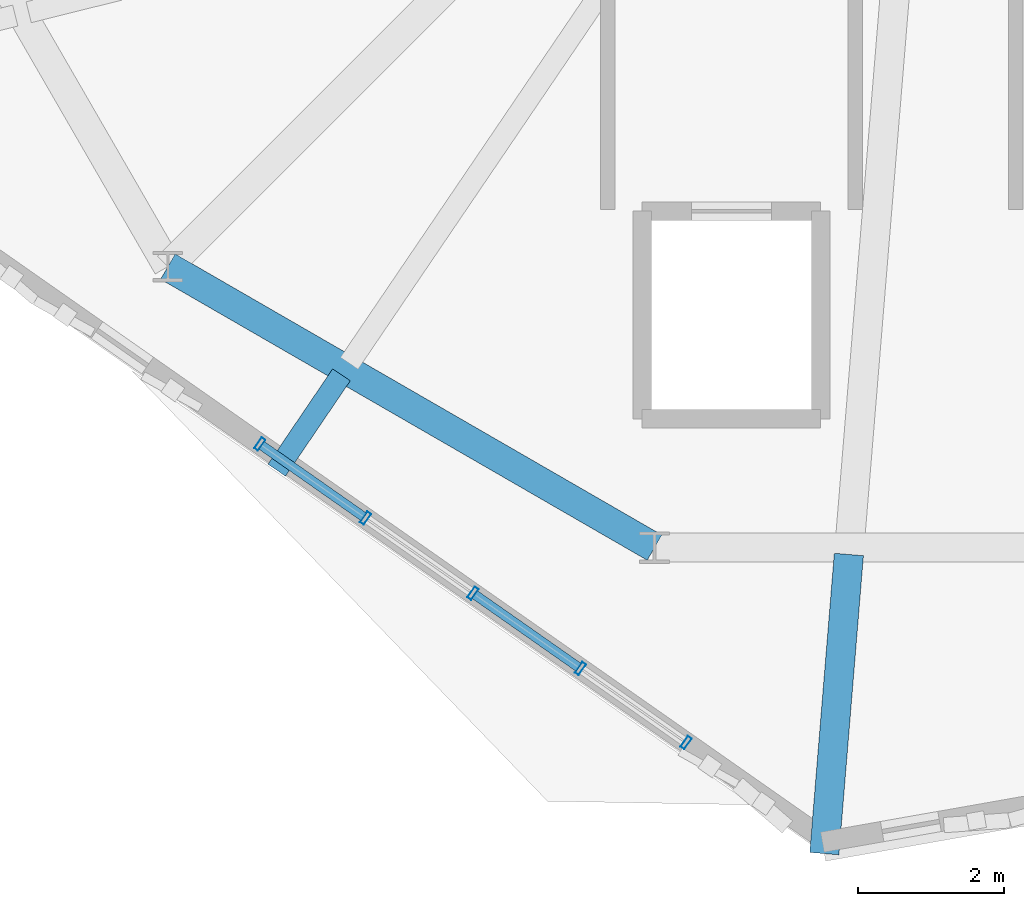
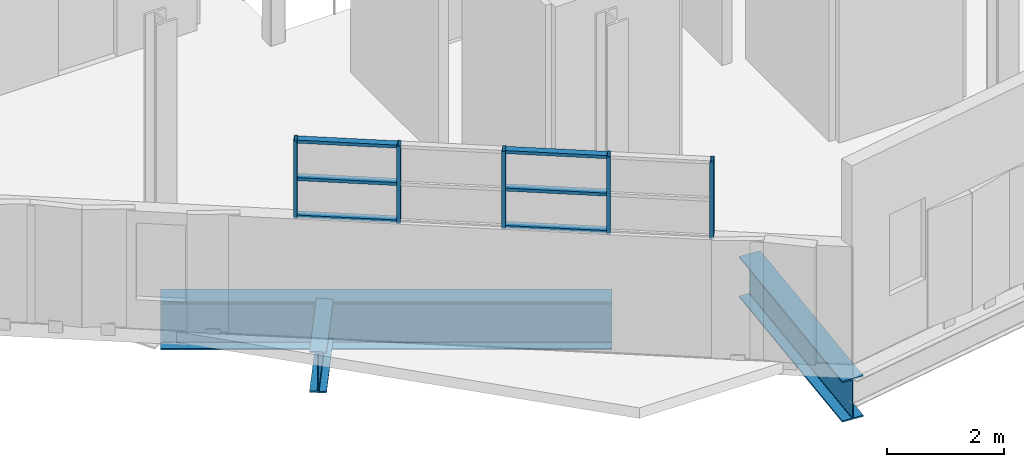
# One storey, part 5 of 36: 11 members, 3 beams, 1 element without a shape of its own.
"""IFC4 building model written with IfcOpenShell, lengths in metres."""

from ifc_helpers import new_model, si_unit, direction, frame, origin, origin_2d, place, context, subcontext, project, spatial, hollow_rectangle, i_section, extrude, material, layer, layer_set, material_profile, profile_set, type_object, element, aggregate, save


model = new_model("IFC4")

# Units and contexts
model_context = context("Model", 3, precision=1e-05, world=origin(), true_north=direction((0.0, 1.0)))
body_context = subcontext(model_context, "Body", "Model", "MODEL_VIEW")
ifc_project = project(units=[si_unit("LENGTHUNIT", "METRE"), si_unit("AREAUNIT", "SQUARE_METRE"), si_unit("VOLUMEUNIT", "CUBIC_METRE"), si_unit("PLANEANGLEUNIT", "RADIAN"), si_unit("MASSUNIT", "GRAM", prefix="KILO"), si_unit("THERMODYNAMICTEMPERATUREUNIT", "KELVIN"), si_unit("POWERUNIT", "WATT")], contexts=[model_context])

# Site, building, storey
site_placement = place(None, origin())
site = spatial("IfcSite", under=ifc_project, at=site_placement, CompositionType="ELEMENT")
building_placement = place(site_placement, origin())
building = spatial("IfcBuilding", under=site, at=building_placement, Name="Zelmaris Science Centre", CompositionType="ELEMENT")
storey_placement = place(building_placement, frame((0.0, 0.0, 25.199951171875)))
storey = spatial("IfcBuildingStorey", under=building, at=storey_placement, Name="L05", CompositionType="ELEMENT", Elevation=25.199951171875)

# Curtain wall, members
ifc_material_1 = material(Name="Anodised architectural aluminium 6063-T6", Category="aluminium")
ifc_layer = layer(ifc_material_1, 0.2099609375, Name="Anodised architectural aluminium 6063-T6")
ifc_layer_set = layer_set([ifc_layer], Name="Anodised architectural aluminium 6063-T6")
curtain_wall_type = type_object("IfcCurtainWallType", Name="Curtain Wall CW-03", PredefinedType="USERDEFINED", material=ifc_layer_set)
curtain_wall_placement = place(storey_placement, origin())
curtain_wall = element("IfcCurtainWall", 1, at=curtain_wall_placement, inside=storey, type_object=curtain_wall_type, Name="L05 Clerestory curtain wall 371", ObjectType="GLAZED CURTAIN WALL", PredefinedType="USERDEFINED")
ifc_material_profile_1 = material_profile(ifc_material_1, hollow_rectangle(XDim=0.06494140625, YDim=0.179931640625, WallThickness=0.00390625, at=origin_2d()), Name="ALU-MUL-65X180")
ifc_profile_set_1 = profile_set([ifc_material_profile_1], Name="Anodised architectural aluminium 6063-T6")
member_type_1 = type_object("IfcMemberType", Name="ALU-MUL-65X180", PredefinedType="MULLION", material=ifc_profile_set_1)
member_1_placement = place(storey_placement, frame((77.576904296875, 18.93115234375, 2.420166015625), z_axis=(0.0, 0.0, 1.0), x_axis=(-0.819154046443, 0.573573576968, 0.0)))
member_1 = element("IfcMember", 2, at=member_1_placement, type_object=member_type_1, Name="CW-03 mullion 1", PredefinedType="MULLION", context=body_context, shape_type="SweptSolid", body=[
    extrude(hollow_rectangle(XDim=0.06494140625, YDim=0.179931640625, WallThickness=0.00390625, at=origin_2d()), origin(), (0.0, 0.0, 1.0), 1.619873046875),
])
member_2_placement = place(storey_placement, frame((76.125732421875, 19.947265625, 2.420166015625), z_axis=(0.0, 0.0, 1.0), x_axis=(-0.819154046443, 0.573573576968, 0.0)))
member_2 = element("IfcMember", 3, at=member_2_placement, type_object=member_type_1, Name="CW-03 mullion 2", PredefinedType="MULLION", context=body_context, shape_type="SweptSolid", body=[
    extrude(hollow_rectangle(XDim=0.06494140625, YDim=0.179931640625, WallThickness=0.00390625, at=origin_2d()), origin(), (0.0, 0.0, 1.0), 1.619873046875),
])
member_3_placement = place(storey_placement, frame((74.651123046875, 20.979736328125, 2.420166015625), z_axis=(0.0, 0.0, 1.0), x_axis=(-0.819154046443, 0.573573576968, 0.0)))
member_3 = element("IfcMember", 4, at=member_3_placement, type_object=member_type_1, Name="CW-03 mullion 3", PredefinedType="MULLION", context=body_context, shape_type="SweptSolid", body=[
    extrude(hollow_rectangle(XDim=0.06494140625, YDim=0.179931640625, WallThickness=0.00390625, at=origin_2d()), origin(), (0.0, 0.0, 1.0), 1.619873046875),
])
member_4_placement = place(storey_placement, frame((73.1767578125, 22.01220703125, 2.420166015625), z_axis=(0.0, 0.0, 1.0), x_axis=(-0.819154046443, 0.573573576968, 0.0)))
member_4 = element("IfcMember", 5, at=member_4_placement, type_object=member_type_1, Name="CW-03 mullion 4", PredefinedType="MULLION", context=body_context, shape_type="SweptSolid", body=[
    extrude(hollow_rectangle(XDim=0.06494140625, YDim=0.179931640625, WallThickness=0.00390625, at=origin_2d()), origin(), (0.0, 0.0, 1.0), 1.619873046875),
])
member_5_placement = place(storey_placement, frame((71.7255859375, 23.0283203125, 2.420166015625), z_axis=(0.0, 0.0, 1.0), x_axis=(-0.819154046443, 0.573573576968, 0.0)))
member_5 = element("IfcMember", 6, at=member_5_placement, type_object=member_type_1, Name="CW-03 mullion 5", PredefinedType="MULLION", context=body_context, shape_type="SweptSolid", body=[
    extrude(hollow_rectangle(XDim=0.06494140625, YDim=0.179931640625, WallThickness=0.00390625, at=origin_2d()), origin(), (0.0, 0.0, 1.0), 1.619873046875),
])
ifc_material_profile_2 = material_profile(ifc_material_1, hollow_rectangle(XDim=0.06494140625, YDim=0.1298828125, WallThickness=0.00341796875, at=origin_2d()), Name="ALU-TRN-65X130")
ifc_profile_set_2 = profile_set([ifc_material_profile_2], Name="Anodised architectural aluminium 6063-T6")
member_type_2 = type_object("IfcMemberType", Name="ALU-TRN-65X130", PredefinedType="USERDEFINED", material=ifc_profile_set_2)
member_6_placement = place(storey_placement, frame((76.102294921875, 19.963623046875, 2.448486328125), z_axis=(-0.819139782198, 0.573593948034, 0.0), x_axis=(0.0, 0.0, 1.0)))
member_6 = element("IfcMember", 7, at=member_6_placement, type_object=member_type_2, Name="CW-03 transom 2.1", ObjectType="TRANSOM", PredefinedType="USERDEFINED", context=body_context, shape_type="SweptSolid", body=[
    extrude(hollow_rectangle(XDim=0.06494140625, YDim=0.1298828125, WallThickness=0.00341796875, at=origin_2d()), origin(), (0.0, 0.0, 1.0), 1.742919921875),
])
member_7_placement = place(storey_placement, frame((76.102294921875, 19.963623046875, 3.22998046875), z_axis=(-0.819139782198, 0.573593948034, 0.0), x_axis=(0.0, 0.0, 1.0)))
member_7 = element("IfcMember", 8, at=member_7_placement, type_object=member_type_2, Name="CW-03 transom 2.2", ObjectType="TRANSOM", PredefinedType="USERDEFINED", context=body_context, shape_type="SweptSolid", body=[
    extrude(hollow_rectangle(XDim=0.06494140625, YDim=0.1298828125, WallThickness=0.00341796875, at=origin_2d()), origin(), (0.0, 0.0, 1.0), 1.742919921875),
])
member_8_placement = place(storey_placement, frame((76.102294921875, 19.963623046875, 4.011474609375), z_axis=(-0.819139782198, 0.573593948034, 0.0), x_axis=(0.0, 0.0, 1.0)))
member_8 = element("IfcMember", 9, at=member_8_placement, type_object=member_type_2, Name="CW-03 transom 2.3", ObjectType="TRANSOM", PredefinedType="USERDEFINED", context=body_context, shape_type="SweptSolid", body=[
    extrude(hollow_rectangle(XDim=0.06494140625, YDim=0.1298828125, WallThickness=0.00341796875, at=origin_2d()), origin(), (0.0, 0.0, 1.0), 1.742919921875),
])
member_9_placement = place(storey_placement, frame((73.1533203125, 22.028564453125, 2.448486328125), z_axis=(-0.819124862085, 0.573615254604, 0.0), x_axis=(0.0, 0.0, 1.0)))
member_9 = element("IfcMember", 10, at=member_9_placement, type_object=member_type_2, Name="CW-03 transom 4.1", ObjectType="TRANSOM", PredefinedType="USERDEFINED", context=body_context, shape_type="SweptSolid", body=[
    extrude(hollow_rectangle(XDim=0.06494140625, YDim=0.1298828125, WallThickness=0.00341796875, at=origin_2d()), origin(), (0.0, 0.0, 1.0), 1.71435546875),
])
member_10_placement = place(storey_placement, frame((73.1533203125, 22.028564453125, 3.22998046875), z_axis=(-0.819124862085, 0.573615254604, 0.0), x_axis=(0.0, 0.0, 1.0)))
member_10 = element("IfcMember", 11, at=member_10_placement, type_object=member_type_2, Name="CW-03 transom 4.2", ObjectType="TRANSOM", PredefinedType="USERDEFINED", context=body_context, shape_type="SweptSolid", body=[
    extrude(hollow_rectangle(XDim=0.06494140625, YDim=0.1298828125, WallThickness=0.00341796875, at=origin_2d()), origin(), (0.0, 0.0, 1.0), 1.71435546875),
])
member_11_placement = place(storey_placement, frame((73.1533203125, 22.028564453125, 4.011474609375), z_axis=(-0.819124862085, 0.573615254604, 0.0), x_axis=(0.0, 0.0, 1.0)))
member_11 = element("IfcMember", 12, at=member_11_placement, type_object=member_type_2, Name="CW-03 transom 4.3", ObjectType="TRANSOM", PredefinedType="USERDEFINED", context=body_context, shape_type="SweptSolid", body=[
    extrude(hollow_rectangle(XDim=0.06494140625, YDim=0.1298828125, WallThickness=0.00341796875, at=origin_2d()), origin(), (0.0, 0.0, 1.0), 1.71435546875),
])
aggregate(curtain_wall, [member_1, member_2, member_3, member_4, member_5, member_6, member_7, member_8, member_9, member_10, member_11])

# Beams
ifc_material_2 = material(Name="Steel ASTM A992 Grade 50", Category="steel")
ifc_material_profile_3 = material_profile(ifc_material_2, i_section(OverallWidth=0.40087890625, OverallDepth=0.85595703125, WebThickness=0.018310546875, FlangeThickness=0.029296875, FilletRadius=0.02001953125, at=origin_2d()), Name="W33X201")
ifc_profile_set_3 = profile_set([ifc_material_profile_3], Name="Steel ASTM A992 Grade 50")
beam_type_1 = type_object("IfcBeamType", Name="Beam G-05 W33X201", PredefinedType="BEAM", material=ifc_profile_set_3)
beam_1_placement = place(storey_placement, frame((79.811279296875, 21.512939453125, -0.7080078125), z_axis=(-0.0817849202, -0.996650002171, 0.0), x_axis=(0.996650002171, -0.0817849202, 0.0)))
element("IfcBeam", 13, at=beam_1_placement, inside=storey, type_object=beam_type_1, Name="L05 Radial overhang girder 12", PredefinedType="BEAM", context=body_context, shape_type="SweptSolid", body=[
    extrude(i_section(OverallWidth=0.40087890625, OverallDepth=0.85595703125, WebThickness=0.018310546875, FlangeThickness=0.029296875, FilletRadius=0.02001953125, at=origin_2d()), origin(), (0.0, 0.0, 1.0), 4.11962890625),
])
ifc_material_profile_4 = material_profile(ifc_material_2, i_section(OverallWidth=0.40087890625, OverallDepth=1.0009765625, WebThickness=0.01904296875, FlangeThickness=0.0361328125, FilletRadius=0.02490234375, at=origin_2d()), Name="W40X249")
ifc_profile_set_4 = profile_set([ifc_material_profile_4], Name="Steel ASTM A992 Grade 50")
beam_type_2 = type_object("IfcBeamType", Name="Beam G-22 W40X249", PredefinedType="BEAM", material=ifc_profile_set_4)
beam_2_placement = place(storey_placement, frame((70.464111328125, 25.464111328125, -0.780517578125), z_axis=(0.866021648359, -0.500006504531, 0.0), x_axis=(0.500006504531, 0.866021648359, 0.0)))
element("IfcBeam", 14, at=beam_2_placement, inside=storey, type_object=beam_type_2, Name="L05 Exhibition inner ring girder 8", PredefinedType="BEAM", context=body_context, shape_type="SweptSolid", body=[
    extrude(i_section(OverallWidth=0.40087890625, OverallDepth=1.0009765625, WebThickness=0.01904296875, FlangeThickness=0.0361328125, FilletRadius=0.02490234375, at=origin_2d()), origin(), (0.0, 0.0, 1.0), 7.712890625),
])
ifc_material_profile_5 = material_profile(ifc_material_2, i_section(OverallWidth=0.2919921875, OverallDepth=0.85888671875, WebThickness=0.01708984375, FlangeThickness=0.031005859375, FilletRadius=0.02001953125, at=origin_2d()), Name="W33X169")
ifc_profile_set_5 = profile_set([ifc_material_profile_5], Name="Steel ASTM A992 Grade 50")
beam_type_3 = type_object("IfcBeamType", Name="Beam G-29 W33X169", PredefinedType="BEAM", material=ifc_profile_set_5)
beam_3_placement = place(storey_placement, frame((72.8466796875, 23.97900390625, -0.70947265625), z_axis=(-0.561448581443, -0.827511625535, 0.0), x_axis=(0.827511625535, -0.561448581443, 0.0)))
element("IfcBeam", 15, at=beam_3_placement, inside=storey, type_object=beam_type_3, Name="L05 Radial overhang girder 11", PredefinedType="BEAM", context=body_context, shape_type="SweptSolid", body=[
    extrude(i_section(OverallWidth=0.2919921875, OverallDepth=0.85888671875, WebThickness=0.01708984375, FlangeThickness=0.031005859375, FilletRadius=0.02001953125, at=origin_2d()), origin(), (0.0, 0.0, 1.0), 1.58203125),
])

save(model, "model.ifc")
